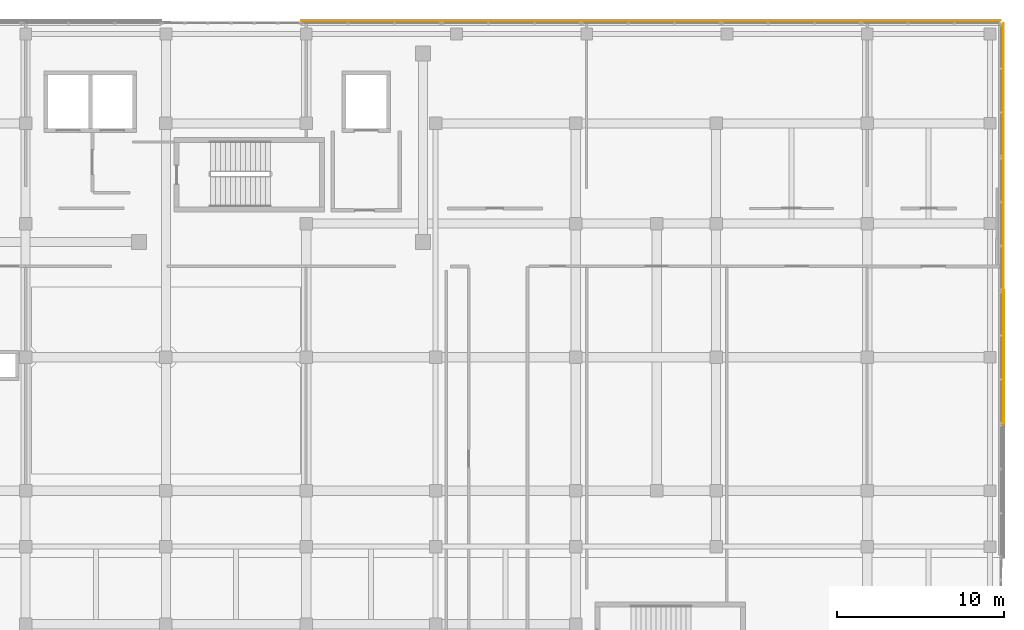
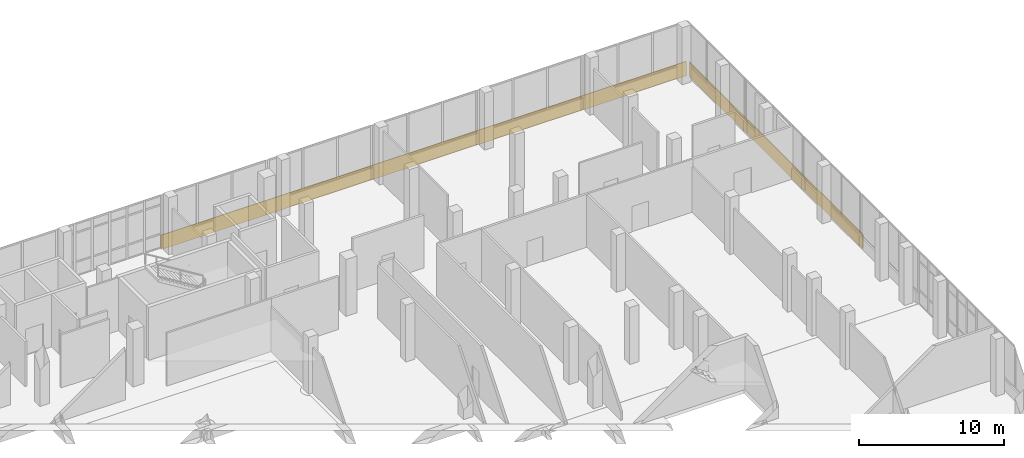
# One storey, part 155 of 155: 8 coverings.
"""IFC4 building model written with IfcOpenShell, lengths in metres."""

from ifc_helpers import new_model, si_unit, direction, frame, origin, origin_2d, place, context, subcontext, project, spatial, rectangle, extrude, material, layer, layer_set, type_object, element, save


model = new_model("IFC4")

# Units and contexts
model_context = context("Model", 3, precision=1e-05, world=origin(), true_north=direction((0.0, 1.0)))
body_context = subcontext(model_context, "Body", "Model", "MODEL_VIEW")
ifc_project = project(units=[si_unit("LENGTHUNIT", "METRE"), si_unit("AREAUNIT", "SQUARE_METRE"), si_unit("VOLUMEUNIT", "CUBIC_METRE"), si_unit("PLANEANGLEUNIT", "RADIAN"), si_unit("MASSUNIT", "GRAM", prefix="KILO")], contexts=[model_context])

# Site, building, storey
site_placement = place(None, origin())
site = spatial("IfcSite", under=ifc_project, at=site_placement, CompositionType="ELEMENT")
building_placement = place(site_placement, origin())
building = spatial("IfcBuilding", under=site, at=building_placement, Name="Selatvlak General Hospital", CompositionType="ELEMENT")
storey_placement = place(building_placement, frame((0.0, 0.0, 10.199951171875)))
storey = spatial("IfcBuildingStorey", under=building, at=storey_placement, Name="L02", CompositionType="ELEMENT", Elevation=10.199951171875)

# Coverings
ifc_material = material(Name="White Bauhaus fair-faced cladding panel")
ifc_layer = layer(ifc_material, 0.054931640625, Name="White Bauhaus fair-faced cladding panel")
ifc_layer_set = layer_set([ifc_layer], Name="White Bauhaus fair-faced cladding panel")
covering_type = type_object("IfcCoveringType", Name="COV-WHT1", PredefinedType="CLADDING", material=ifc_layer_set)
for number, where, z_axis, x_axis, name in (
    (1, (144.2890625, 120.1650390625, -0.27978515625), (0.0, 0.0, 1.0), (1.0, 0.0, 0.0), "L02 Bauhaus horizontal white spandrel band 0157"),
    (2, (152.6689453125, 120.1650390625, -0.27978515625), (0.0, 0.0, 1.0), (1.0, 0.0, 0.0), "L02 Bauhaus horizontal white spandrel band 0158"),
    (3, (161.049072265625, 120.1650390625, -0.27978515625), (0.0, 0.0, 1.0), (1.0, 0.0, 0.0), "L02 Bauhaus horizontal white spandrel band 0159"),
    (4, (169.428955078125, 120.1650390625, -0.27978515625), (0.0, 0.0, 1.0), (1.0, 0.0, 0.0), "L02 Bauhaus horizontal white spandrel band 0160"),
    (5, (177.80908203125, 120.1650390625, -0.27978515625), (0.0, 0.0, 1.0), (1.0, 0.0, 0.0), "L02 Bauhaus horizontal white spandrel band 0161"),
):
    element("IfcCovering", number, at=place(storey_placement, frame(where, z_axis=z_axis, x_axis=x_axis)), inside=storey, type_object=covering_type, Name=name, PredefinedType="CLADDING", context=body_context, shape_type="SweptSolid", body=[
        extrude(rectangle(XDim=8.3798828125, YDim=0.054931640625, at=origin_2d()), origin(), (0.0, 0.0, 1.0), 1.219970703125),
    ])
covering_1_placement = place(storey_placement, frame((182.1640625, 116.0, -0.27978515625), z_axis=(0.0, 0.0, 1.0), x_axis=(0.0, -1.0, 0.0)))
element("IfcCovering", 6, at=covering_1_placement, inside=storey, type_object=covering_type, Name="L02 Bauhaus horizontal white spandrel band 0162", PredefinedType="CLADDING", context=body_context, shape_type="SweptSolid", body=[
    extrude(rectangle(XDim=8.0, YDim=0.054931640625, at=origin_2d()), origin(), (0.0, 0.0, 1.0), 1.219970703125),
])
covering_2_placement = place(storey_placement, frame((182.1640625, 108.0009765625, -0.27978515625), z_axis=(0.0, 0.0, 1.0), x_axis=(0.000122173047, -0.999999992537, 0.0)))
element("IfcCovering", 7, at=covering_2_placement, inside=storey, type_object=covering_type, Name="L02 Bauhaus horizontal white spandrel band 0163", PredefinedType="CLADDING", context=body_context, shape_type="SweptSolid", body=[
    extrude(rectangle(XDim=7.9990234375, YDim=0.054931640625, at=origin_2d()), origin(), (0.0, 0.0, 1.0), 1.219970703125),
])
covering_3_placement = place(storey_placement, frame((182.1650390625, 100.0009765625, -0.27978515625), z_axis=(0.0, 0.0, 1.0), x_axis=(0.0, -1.0, 0.0)))
element("IfcCovering", 8, at=covering_3_placement, inside=storey, type_object=covering_type, Name="L02 Bauhaus horizontal white spandrel band 0164", PredefinedType="CLADDING", context=body_context, shape_type="SweptSolid", body=[
    extrude(rectangle(XDim=8.0, YDim=0.054931640625, at=origin_2d()), origin(), (0.0, 0.0, 1.0), 1.219970703125),
])

save(model, "model.ifc")
